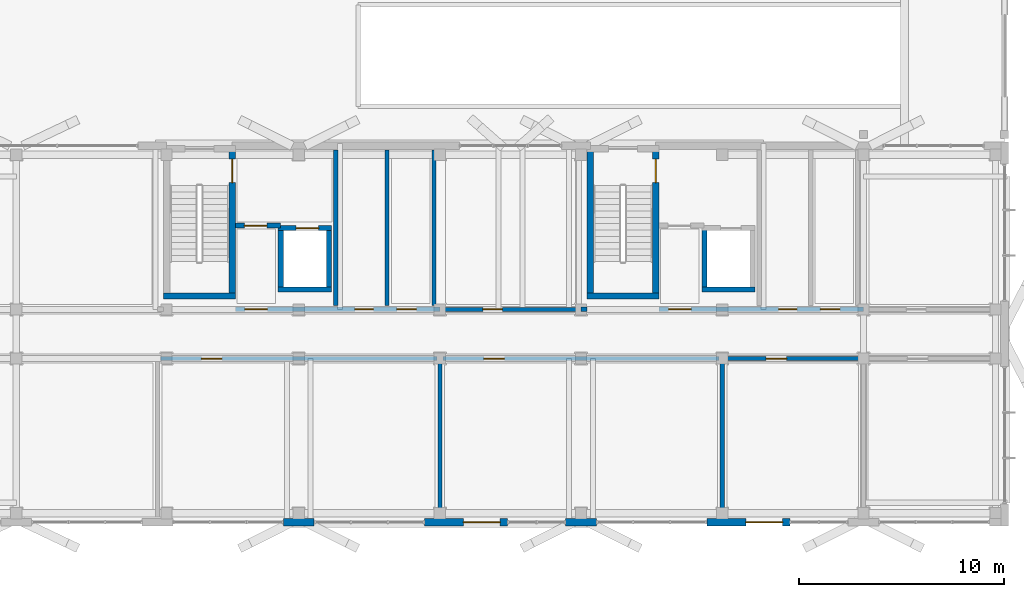
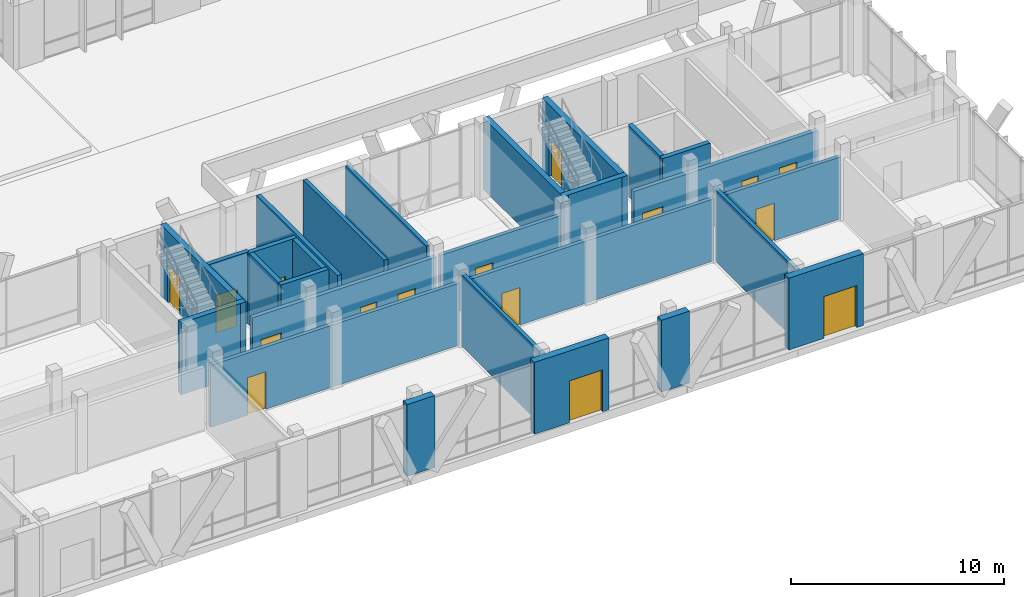
# One storey, part 201 of 233: 28 walls, 16 doors, 16 openings.
"""IFC4 building model written with IfcOpenShell, lengths in metres."""

from ifc_helpers import new_model, si_unit, direction, frame, frame_2d, origin, origin_with_axes, place, context, subcontext, project, spatial, rectangle, extrude, material, layer, layer_set, type_object, element, fill, save


model = new_model("IFC4")

# Units and contexts
model_context = context("Model", 3, precision=1e-05, world=origin(), true_north=direction((0.0, 1.0)))
body_context = subcontext(model_context, "Body", "Model", "MODEL_VIEW")
ifc_project = project(units=[si_unit("LENGTHUNIT", "METRE"), si_unit("AREAUNIT", "SQUARE_METRE"), si_unit("VOLUMEUNIT", "CUBIC_METRE"), si_unit("PLANEANGLEUNIT", "RADIAN"), si_unit("MASSUNIT", "GRAM", prefix="KILO")], contexts=[model_context])

# Site, building, storey
site_placement = place(None, origin())
site = spatial("IfcSite", under=ifc_project, at=site_placement, CompositionType="ELEMENT")
building_placement = place(site_placement, origin())
building = spatial("IfcBuilding", under=site, at=building_placement, Name="Zavelmont Quarter", CompositionType="ELEMENT")
storey_placement = place(building_placement, origin())
storey = spatial("IfcBuildingStorey", under=building, at=storey_placement, Name="L00", CompositionType="ELEMENT", Elevation=0.0)

# Wall
ifc_material_1 = material(Name="Natural Belgian limestone", Category="masonry")
ifc_layer_1 = layer(ifc_material_1, 0.3798828125)
ifc_layer_set_1 = layer_set([ifc_layer_1], Name="Natural Belgian limestone")
wall_type_1 = type_object("IfcWallType", Name="EW01", PredefinedType="STANDARD", material=ifc_layer_set_1)
wall_1_placement = place(storey_placement, frame((132.75, 0.0, 0.0), z_axis=(0.0, 0.0, 1.0), x_axis=(1.0, 0.0, 0.0)))
element("IfcWall", 1, at=wall_1_placement, inside=storey, type_object=wall_type_1, Name="L00 exterior limestone wall EW01", PredefinedType="STANDARD", context=body_context, shape_type="SweptSolid", body=[
    extrude(rectangle(XDim=1.5, YDim=0.3798828125, at=frame_2d((0.75, 0.0))), origin(), (0.0, 0.0, 1.0), 4.1201171875),
])

# Wall, opening, door
wall_2_placement = place(storey_placement, frame((139.64990234375, 0.0, 0.0), z_axis=(0.0, 0.0, 1.0), x_axis=(1.0, 0.0, 0.0)))
wall_2 = element("IfcWall", 2, at=wall_2_placement, inside=storey, type_object=wall_type_1, Name="L00 exterior limestone wall EW01", PredefinedType="STANDARD", context=body_context, shape_type="SweptSolid", body=[
    extrude(rectangle(XDim=4.050048828125, YDim=0.3798828125, at=frame_2d((2.02490234375, 0.0))), origin(), (0.0, 0.0, 1.0), 4.1201171875),
])
opening_1_placement = place(wall_2_placement, frame((1.89990234375, 0.0, 0.0)))
opening_1 = element("IfcOpeningElement", 3, at=opening_1_placement, cuts=wall_2, Name="Opening DR01", PredefinedType="OPENING", context=body_context, shape_type="SweptSolid", body=[
    extrude(rectangle(XDim=1.800048828125, YDim=2.39990234375, at=frame_2d((0.89990234375, 1.199951171875))), frame((0.0, 0.201904296875, 0.0), z_axis=(0.0, -1.0, 0.0), x_axis=(1.0, 0.0, 0.0)), (0.0, 0.0, 1.0), 0.40380859375),
])
ifc_material_2 = material(Name="Powder-coated aluminium and tempered double safety glass", Category="aluminium")
door_type_1 = type_object("IfcDoorType", Name="DR01", OperationType="DOUBLE_DOOR_SINGLE_SWING", PredefinedType="DOOR", material=ifc_material_2)
door_1_placement = place(opening_1_placement, frame((1.800048828125, 0.0, 0.0), z_axis=(0.0, 0.0, 1.0), x_axis=(-1.0, 0.0, 0.0)))
door_1 = element("IfcDoor", 4, at=door_1_placement, inside=storey, type_object=door_type_1, Name="Block D street entrance final exit door", OperationType="DOUBLE_DOOR_SINGLE_SWING", OverallHeight=2.39990234375, OverallWidth=1.800048828125, PredefinedType="DOOR", context=body_context, shape_type="SweptSolid", body=[
    extrude(rectangle(XDim=1.800048828125, YDim=2.39990234375, at=frame_2d((0.89990234375, 1.199951171875))), frame((0.0, 0.02490234375, 0.0), z_axis=(0.0, -1.0, 0.0), x_axis=(1.0, 0.0, 0.0)), (0.0, 0.0, 1.0), 0.050048828125),
])
fill(opening_1, door_1)

# Wall
wall_3_placement = place(storey_placement, frame((146.550048828125, 0.0, 0.0), z_axis=(0.0, 0.0, 1.0), x_axis=(1.0, 0.0, 0.0)))
element("IfcWall", 5, at=wall_3_placement, inside=storey, type_object=wall_type_1, Name="L00 exterior limestone wall EW01", PredefinedType="STANDARD", context=body_context, shape_type="SweptSolid", body=[
    extrude(rectangle(XDim=1.5, YDim=0.3798828125, at=frame_2d((0.75, 0.0))), origin(), (0.0, 0.0, 1.0), 4.1201171875),
])

# Wall, opening, door
wall_4_placement = place(storey_placement, frame((153.449951171875, 0.0, 0.0), z_axis=(0.0, 0.0, 1.0), x_axis=(1.0, 0.0, 0.0)))
wall_4 = element("IfcWall", 6, at=wall_4_placement, inside=storey, type_object=wall_type_1, Name="L00 exterior limestone wall EW01", PredefinedType="STANDARD", context=body_context, shape_type="SweptSolid", body=[
    extrude(rectangle(XDim=4.050048828125, YDim=0.3798828125, at=frame_2d((2.02490234375, 0.0))), origin(), (0.0, 0.0, 1.0), 4.1201171875),
])
opening_2_placement = place(wall_4_placement, frame((1.89990234375, 0.0, 0.0)))
opening_2 = element("IfcOpeningElement", 7, at=opening_2_placement, cuts=wall_4, Name="Opening DR01", PredefinedType="OPENING", context=body_context, shape_type="SweptSolid", body=[
    extrude(rectangle(XDim=1.800048828125, YDim=2.39990234375, at=frame_2d((0.89990234375, 1.199951171875))), frame((0.0, 0.201904296875, 0.0), z_axis=(0.0, -1.0, 0.0), x_axis=(1.0, 0.0, 0.0)), (0.0, 0.0, 1.0), 0.40380859375),
])
door_2_placement = place(opening_2_placement, frame((1.800048828125, 0.0, 0.0), z_axis=(0.0, 0.0, 1.0), x_axis=(-1.0, 0.0, 0.0)))
door_2 = element("IfcDoor", 8, at=door_2_placement, inside=storey, type_object=door_type_1, Name="Block D street entrance final exit door", OperationType="DOUBLE_DOOR_SINGLE_SWING", OverallHeight=2.39990234375, OverallWidth=1.800048828125, PredefinedType="DOOR", context=body_context, shape_type="SweptSolid", body=[
    extrude(rectangle(XDim=1.800048828125, YDim=2.39990234375, at=frame_2d((0.89990234375, 1.199951171875))), frame((0.0, 0.02490234375, 0.0), z_axis=(0.0, -1.0, 0.0), x_axis=(1.0, 0.0, 0.0)), (0.0, 0.0, 1.0), 0.050048828125),
])
fill(opening_2, door_2)

# Walls
ifc_material_3 = material(Name="Calcium-silicate blockwork and acoustic plaster", Category="masonry")
ifc_layer_2 = layer(ifc_material_3, 0.199951171875)
ifc_layer_set_2 = layer_set([ifc_layer_2], Name="Calcium-silicate blockwork and acoustic plaster")
wall_type_2 = type_object("IfcWallType", Name="IW01", PredefinedType="PARTITIONING", material=ifc_layer_set_2)
for number, where, z_axis, x_axis, name in (
    (9, (137.824951171875, 10.60009765625, 0.0), (0.0, 0.0, 1.0), (0.0, 1.0, 0.0), "L00 Service riser divider wall IW01"),
    (10, (140.1201171875, 10.60009765625, 0.0), (0.0, 0.0, 1.0), (0.0, 1.0, 0.0), "L00 Core service end wall IW01"),
):
    element("IfcWall", number, at=place(storey_placement, frame(where, z_axis=z_axis, x_axis=x_axis)), inside=storey, type_object=wall_type_2, Name=name, PredefinedType="PARTITIONING", context=body_context, shape_type="SweptSolid", body=[
        extrude(rectangle(XDim=7.599853515625, YDim=0.199951171875, at=frame_2d((3.7998046875, 0.0))), origin(), (0.0, 0.0, 1.0), 4.1201171875),
    ])

# Wall, opening, door
wall_5_placement = place(storey_placement, frame((126.75, 8.0, 0.0), z_axis=(0.0, 0.0, 1.0), x_axis=(1.0, 0.0, 0.0)))
wall_5 = element("IfcWall", 11, at=wall_5_placement, inside=storey, type_object=wall_type_2, Name="L00 Residents Community Room corridor wall IW01", PredefinedType="PARTITIONING", context=body_context, shape_type="SweptSolid", body=[
    extrude(rectangle(XDim=13.5, YDim=0.199951171875, at=frame_2d((6.75, 0.0))), origin(), (0.0, 0.0, 1.0), 3.56005859375),
])
opening_3_placement = place(wall_5_placement, frame((2.0, 0.0, 0.0)))
opening_3 = element("IfcOpeningElement", 12, at=opening_3_placement, cuts=wall_5, Name="Opening DR07", PredefinedType="OPENING", context=body_context, shape_type="SweptSolid", body=[
    extrude(rectangle(XDim=1.0, YDim=2.14990234375, at=frame_2d((0.5, 1.074951171875))), frame((0.0, 0.11181640625, 0.0), z_axis=(0.0, -1.0, 0.0), x_axis=(1.0, 0.0, 0.0)), (0.0, 0.0, 1.0), 0.223876953125),
])
ifc_material_4 = material(Name="Solid-core oak fire leaf in steel frame", Category="steel")
door_type_2 = type_object("IfcDoorType", Name="DR07", OperationType="NOTDEFINED", PredefinedType="DOOR", material=ifc_material_4)
door_3_placement = place(opening_3_placement, origin_with_axes())
door_3 = element("IfcDoor", 13, at=door_3_placement, inside=storey, type_object=door_type_2, Name="L00 door DR07", OperationType="SINGLE_SWING_RIGHT", OverallHeight=2.14990234375, OverallWidth=1.0, PredefinedType="DOOR", context=body_context, shape_type="SweptSolid", body=[
    extrude(rectangle(XDim=1.0, YDim=2.14990234375, at=frame_2d((0.5, 1.074951171875))), frame((0.0, 0.02490234375, 0.0), z_axis=(0.0, -1.0, 0.0), x_axis=(1.0, 0.0, 0.0)), (0.0, 0.0, 1.0), 0.050048828125),
])
fill(opening_3, door_3)

# Wall
wall_6_placement = place(storey_placement, frame((140.39990234375, 0.25, 0.0), z_axis=(0.0, 0.0, 1.0), x_axis=(0.0, 1.0, 0.0)))
element("IfcWall", 14, at=wall_6_placement, inside=storey, type_object=wall_type_2, Name="L00 Interior partition IW01", PredefinedType="PARTITIONING", context=body_context, shape_type="SweptSolid", body=[
    extrude(rectangle(XDim=7.60009765625, YDim=0.199951171875, at=frame_2d((3.800048828125, 0.0))), origin(), (0.0, 0.0, 1.0), 4.1201171875),
])

# Wall, opening, door
wall_7_placement = place(storey_placement, frame((140.550048828125, 8.0, 0.0), z_axis=(0.0, 0.0, 1.0), x_axis=(1.0, 0.0, 0.0)))
wall_7 = element("IfcWall", 15, at=wall_7_placement, inside=storey, type_object=wall_type_2, Name="L00 Pram and Cycle Room corridor wall IW01", PredefinedType="PARTITIONING", context=body_context, shape_type="SweptSolid", body=[
    extrude(rectangle(XDim=13.5, YDim=0.199951171875, at=frame_2d((6.75, 0.0))), origin(), (0.0, 0.0, 1.0), 3.56005859375),
])
opening_4_placement = place(wall_7_placement, frame((2.0, 0.0, 0.0)))
opening_4 = element("IfcOpeningElement", 16, at=opening_4_placement, cuts=wall_7, Name="Opening DR07", PredefinedType="OPENING", context=body_context, shape_type="SweptSolid", body=[
    extrude(rectangle(XDim=1.0, YDim=2.14990234375, at=frame_2d((0.5, 1.074951171875))), frame((0.0, 0.11181640625, 0.0), z_axis=(0.0, -1.0, 0.0), x_axis=(1.0, 0.0, 0.0)), (0.0, 0.0, 1.0), 0.223876953125),
])
door_4_placement = place(opening_4_placement, frame((1.0, 0.0, 0.0), z_axis=(0.0, 0.0, 1.0), x_axis=(-1.0, 0.0, 0.0)))
door_4 = element("IfcDoor", 17, at=door_4_placement, inside=storey, type_object=door_type_2, Name="L00 door DR07", OperationType="SINGLE_SWING_LEFT", OverallHeight=2.14990234375, OverallWidth=1.0, PredefinedType="DOOR", context=body_context, shape_type="SweptSolid", body=[
    extrude(rectangle(XDim=1.0, YDim=2.14990234375, at=frame_2d((0.5, 1.074951171875))), frame((0.0, 0.02490234375, 0.0), z_axis=(0.0, -1.0, 0.0), x_axis=(1.0, 0.0, 0.0)), (0.0, 0.0, 1.0), 0.050048828125),
])
fill(opening_4, door_4)

# Wall
wall_8_placement = place(storey_placement, frame((154.199951171875, 0.25, 0.0), z_axis=(0.0, 0.0, 1.0), x_axis=(0.0, 1.0, 0.0)))
element("IfcWall", 18, at=wall_8_placement, inside=storey, type_object=wall_type_2, Name="L00 Interior partition IW01", PredefinedType="PARTITIONING", context=body_context, shape_type="SweptSolid", body=[
    extrude(rectangle(XDim=7.60009765625, YDim=0.199951171875, at=frame_2d((3.800048828125, 0.0))), origin(), (0.0, 0.0, 1.0), 4.1201171875),
])

# Wall, opening, door
wall_9_placement = place(storey_placement, frame((154.35009765625, 8.0, 0.0), z_axis=(0.0, 0.0, 1.0), x_axis=(1.0, 0.0, 0.0)))
wall_9 = element("IfcWall", 19, at=wall_9_placement, inside=storey, type_object=wall_type_2, Name="L00 Refuse and Recycling Room corridor wall IW01", PredefinedType="PARTITIONING", context=body_context, shape_type="SweptSolid", body=[
    extrude(rectangle(XDim=6.599853515625, YDim=0.199951171875, at=frame_2d((3.2998046875, 0.0))), origin(), (0.0, 0.0, 1.0), 3.56005859375),
])
opening_5_placement = place(wall_9_placement, frame((2.0, 0.0, 0.0)))
opening_5 = element("IfcOpeningElement", 20, at=opening_5_placement, cuts=wall_9, Name="Opening DR07", PredefinedType="OPENING", context=body_context, shape_type="SweptSolid", body=[
    extrude(rectangle(XDim=1.0, YDim=2.14990234375, at=frame_2d((0.5, 1.074951171875))), frame((0.0, 0.11181640625, 0.0), z_axis=(0.0, -1.0, 0.0), x_axis=(1.0, 0.0, 0.0)), (0.0, 0.0, 1.0), 0.223876953125),
])
door_5_placement = place(opening_5_placement, origin_with_axes())
door_5 = element("IfcDoor", 21, at=door_5_placement, inside=storey, type_object=door_type_2, Name="L00 door DR07", OperationType="SINGLE_SWING_RIGHT", OverallHeight=2.14990234375, OverallWidth=1.0, PredefinedType="DOOR", context=body_context, shape_type="SweptSolid", body=[
    extrude(rectangle(XDim=1.0, YDim=2.14990234375, at=frame_2d((0.5, 1.074951171875))), frame((0.0, 0.02490234375, 0.0), z_axis=(0.0, -1.0, 0.0), x_axis=(1.0, 0.0, 0.0)), (0.0, 0.0, 1.0), 0.050048828125),
])
fill(opening_5, door_5)

wall_10_placement = place(storey_placement, frame((140.60009765625, 10.39990234375, 0.0), z_axis=(0.0, 0.0, 1.0), x_axis=(1.0, 0.0, 0.0)))
wall_10 = element("IfcWall", 22, at=wall_10_placement, inside=storey, type_object=wall_type_2, Name="L00 Interior partition IW01", PredefinedType="PARTITIONING", context=body_context, shape_type="SweptSolid", body=[
    extrude(rectangle(XDim=6.5, YDim=0.199951171875, at=frame_2d((3.25, 0.0))), origin(), (0.0, 0.0, 1.0), 3.56005859375),
])
opening_6_placement = place(wall_10_placement, frame((1.89990234375, 0.0, 0.0)))
opening_6 = element("IfcOpeningElement", 23, at=opening_6_placement, cuts=wall_10, Name="Opening DR02", PredefinedType="OPENING", context=body_context, shape_type="SweptSolid", body=[
    extrude(rectangle(XDim=0.949951171875, YDim=2.14990234375, at=frame_2d((0.47509765625, 1.074951171875))), frame((0.0, 0.11181640625, 0.0), z_axis=(0.0, -1.0, 0.0), x_axis=(1.0, 0.0, 0.0)), (0.0, 0.0, 1.0), 0.223876953125),
])
door_type_3 = type_object("IfcDoorType", Name="DR02", OperationType="NOTDEFINED", PredefinedType="DOOR", material=ifc_material_4)
door_6_placement = place(opening_6_placement, frame((0.949951171875, 0.0, 0.0), z_axis=(0.0, 0.0, 1.0), x_axis=(-1.0, 0.0, 0.0)))
door_6 = element("IfcDoor", 24, at=door_6_placement, inside=storey, type_object=door_type_3, Name="L00 door DR02", OperationType="SINGLE_SWING_LEFT", OverallHeight=2.14990234375, OverallWidth=0.949951171875, PredefinedType="DOOR", context=body_context, shape_type="SweptSolid", body=[
    extrude(rectangle(XDim=0.949951171875, YDim=2.14990234375, at=frame_2d((0.47509765625, 1.074951171875))), frame((0.0, 0.02490234375, 0.0), z_axis=(0.0, -1.0, 0.0), x_axis=(1.0, 0.0, 0.0)), (0.0, 0.0, 1.0), 0.050048828125),
])
fill(opening_6, door_6)

# Wall
ifc_material_5 = material(Name="Reinforced masonry fire compartment wall", Category="masonry")
ifc_layer_3 = layer(ifc_material_5, 0.22509765625)
ifc_layer_set_3 = layer_set([ifc_layer_3], Name="Reinforced masonry fire compartment wall")
wall_type_3 = type_object("IfcWallType", Name="IW02", PredefinedType="PARTITIONING", material=ifc_layer_set_3)
wall_11_placement = place(storey_placement, frame((135.31005859375, 10.60009765625, 0.0), z_axis=(0.0, 0.0, 1.0), x_axis=(0.0, 1.0, 0.0)))
element("IfcWall", 25, at=wall_11_placement, inside=storey, type_object=wall_type_3, Name="L00 Firefighting lobby enclosure wall IW02", PredefinedType="PARTITIONING", context=body_context, shape_type="SweptSolid", body=[
    extrude(rectangle(XDim=7.599853515625, YDim=0.22509765625, at=frame_2d((3.7998046875, 0.0))), origin(), (0.0, 0.0, 1.0), 4.1201171875),
])

# Wall, opening, door
wall_12_placement = place(storey_placement, frame((130.39990234375, 14.5, 0.0), z_axis=(0.0, 0.0, 1.0), x_axis=(1.0, 0.0, 0.0)))
wall_12 = element("IfcWall", 26, at=wall_12_placement, inside=storey, type_object=wall_type_3, Name="L00 Firefighting lobby threshold wall IW02", PredefinedType="PARTITIONING", context=body_context, shape_type="SweptSolid", body=[
    extrude(rectangle(XDim=2.2001953125, YDim=0.22509765625, at=frame_2d((1.10009765625, 0.0))), origin(), (0.0, 0.0, 1.0), 4.1201171875),
])
opening_7_placement = place(wall_12_placement, frame((0.449951171875, 0.0, 0.0)))
opening_7 = element("IfcOpeningElement", 27, at=opening_7_placement, cuts=wall_12, Name="Opening DR10", PredefinedType="OPENING", context=body_context, shape_type="SweptSolid", body=[
    extrude(rectangle(XDim=1.10009765625, YDim=2.14990234375, at=frame_2d((0.550048828125, 1.074951171875))), frame((0.0, 0.12451171875, 0.0), z_axis=(0.0, -1.0, 0.0), x_axis=(1.0, 0.0, 0.0)), (0.0, 0.0, 1.0), 0.2490234375),
])
ifc_material_6 = material(Name="Painted steel lobby fire door", Category="steel")
door_type_4 = type_object("IfcDoorType", Name="DR10", OperationType="NOTDEFINED", PredefinedType="DOOR", material=ifc_material_6)
door_7_placement = place(opening_7_placement, origin_with_axes())
door_7 = element("IfcDoor", 28, at=door_7_placement, inside=storey, type_object=door_type_4, Name="Firefighting lobby fire door", OperationType="SINGLE_SWING_RIGHT", OverallHeight=2.14990234375, OverallWidth=1.10009765625, PredefinedType="DOOR", context=body_context, shape_type="SweptSolid", body=[
    extrude(rectangle(XDim=1.10009765625, YDim=2.14990234375, at=frame_2d((0.550048828125, 1.074951171875))), frame((0.0, 0.02490234375, 0.0), z_axis=(0.0, -1.0, 0.0), x_axis=(1.0, 0.0, 0.0)), (0.0, 0.0, 1.0), 0.050048828125),
])
fill(opening_7, door_7)

# Wall, openings, doors
wall_13_placement = place(storey_placement, frame((130.39990234375, 10.39990234375, 0.0), z_axis=(0.0, 0.0, 1.0), x_axis=(1.0, 0.0, 0.0)))
wall_13 = element("IfcWall", 29, at=wall_13_placement, inside=storey, type_object=wall_type_3, Name="L00 Core corridor fire wall IW02", PredefinedType="PARTITIONING", context=body_context, shape_type="SweptSolid", body=[
    extrude(rectangle(XDim=10.0, YDim=0.22509765625, at=frame_2d((5.0, 0.0))), origin(), (0.0, 0.0, 1.0), 3.56005859375),
])
opening_8_placement = place(wall_13_placement, frame((0.47509765625, 0.0, 0.0)))
opening_8 = element("IfcOpeningElement", 30, at=opening_8_placement, cuts=wall_13, Name="Opening DR10", PredefinedType="OPENING", context=body_context, shape_type="SweptSolid", body=[
    extrude(rectangle(XDim=1.10009765625, YDim=2.14990234375, at=frame_2d((0.550048828125, 1.074951171875))), frame((0.0, 0.12451171875, 0.0), z_axis=(0.0, -1.0, 0.0), x_axis=(1.0, 0.0, 0.0)), (0.0, 0.0, 1.0), 0.2490234375),
])
opening_9_placement = place(wall_13_placement, frame((5.85009765625, 0.0, 0.0)))
opening_9 = element("IfcOpeningElement", 31, at=opening_9_placement, cuts=wall_13, Name="Opening DR11", PredefinedType="OPENING", context=body_context, shape_type="SweptSolid", body=[
    extrude(rectangle(XDim=0.89990234375, YDim=2.10009765625, at=frame_2d((0.449951171875, 1.050048828125))), frame((0.0, 0.12451171875, 0.0), z_axis=(0.0, -1.0, 0.0), x_axis=(1.0, 0.0, 0.0)), (0.0, 0.0, 1.0), 0.2490234375),
])
opening_10_placement = place(wall_13_placement, frame((7.89990234375, 0.0, 0.0)))
opening_10 = element("IfcOpeningElement", 32, at=opening_10_placement, cuts=wall_13, Name="Opening DR02", PredefinedType="OPENING", context=body_context, shape_type="SweptSolid", body=[
    extrude(rectangle(XDim=0.949951171875, YDim=2.14990234375, at=frame_2d((0.47509765625, 1.074951171875))), frame((0.0, 0.12451171875, 0.0), z_axis=(0.0, -1.0, 0.0), x_axis=(1.0, 0.0, 0.0)), (0.0, 0.0, 1.0), 0.2490234375),
])
door_8_placement = place(opening_10_placement, frame((0.949951171875, 0.0, 0.0), z_axis=(0.0, 0.0, 1.0), x_axis=(-1.0, 0.0, 0.0)))
door_8 = element("IfcDoor", 33, at=door_8_placement, inside=storey, type_object=door_type_3, Name="Auxiliary store corridor door", OperationType="SINGLE_SWING_RIGHT", OverallHeight=2.14990234375, OverallWidth=0.949951171875, PredefinedType="DOOR", context=body_context, shape_type="SweptSolid", body=[
    extrude(rectangle(XDim=0.949951171875, YDim=2.14990234375, at=frame_2d((0.47509765625, 1.074951171875))), frame((0.0, 0.02490234375, 0.0), z_axis=(0.0, -1.0, 0.0), x_axis=(1.0, 0.0, 0.0)), (0.0, 0.0, 1.0), 0.050048828125),
])
fill(opening_10, door_8)
door_9_placement = place(opening_8_placement, origin_with_axes())
door_9 = element("IfcDoor", 34, at=door_9_placement, inside=storey, type_object=door_type_4, Name="Core vestibule fire door", OperationType="SINGLE_SWING_LEFT", OverallHeight=2.14990234375, OverallWidth=1.10009765625, PredefinedType="DOOR", context=body_context, shape_type="SweptSolid", body=[
    extrude(rectangle(XDim=1.10009765625, YDim=2.14990234375, at=frame_2d((0.550048828125, 1.074951171875))), frame((0.0, 0.02490234375, 0.0), z_axis=(0.0, -1.0, 0.0), x_axis=(1.0, 0.0, 0.0)), (0.0, 0.0, 1.0), 0.050048828125),
])
fill(opening_8, door_9)
ifc_material_7 = material(Name="Painted steel service-riser fire door", Category="steel")
door_type_5 = type_object("IfcDoorType", Name="DR11", OperationType="NOTDEFINED", PredefinedType="DOOR", material=ifc_material_7)
door_10_placement = place(opening_9_placement, frame((0.89990234375, 0.0, 0.0), z_axis=(0.0, 0.0, 1.0), x_axis=(-1.0, 0.0, 0.0)))
door_10 = element("IfcDoor", 35, at=door_10_placement, inside=storey, type_object=door_type_5, Name="Service riser fire door", OperationType="SINGLE_SWING_LEFT", OverallHeight=2.10009765625, OverallWidth=0.89990234375, PredefinedType="DOOR", context=body_context, shape_type="SweptSolid", body=[
    extrude(rectangle(XDim=0.89990234375, YDim=2.10009765625, at=frame_2d((0.449951171875, 1.050048828125))), frame((0.0, 0.02490234375, 0.0), z_axis=(0.0, -1.0, 0.0), x_axis=(1.0, 0.0, 0.0)), (0.0, 0.0, 1.0), 0.050048828125),
])
fill(opening_9, door_10)

# Wall
wall_14_placement = place(storey_placement, frame((147.300048828125, 10.39990234375, 0.0), z_axis=(0.0, 0.0, 1.0), x_axis=(1.0, 0.0, 0.0)))
element("IfcWall", 36, at=wall_14_placement, inside=storey, type_object=wall_type_3, Name="L00 Core corridor wall IW02", PredefinedType="PARTITIONING", context=body_context, shape_type="SweptSolid", body=[
    extrude(rectangle(XDim=0.300048828125, YDim=0.22509765625, at=frame_2d((0.14990234375, 0.0))), origin(), (0.0, 0.0, 1.0), 4.1201171875),
])

# Wall, openings, doors
wall_15_placement = place(storey_placement, frame((151.10009765625, 10.39990234375, 0.0), z_axis=(0.0, 0.0, 1.0), x_axis=(1.0, 0.0, 0.0)))
wall_15 = element("IfcWall", 37, at=wall_15_placement, inside=storey, type_object=wall_type_3, Name="L00 Core corridor fire wall IW02", PredefinedType="PARTITIONING", context=body_context, shape_type="SweptSolid", body=[
    extrude(rectangle(XDim=10.0, YDim=0.22509765625, at=frame_2d((5.0, 0.0))), origin(), (0.0, 0.0, 1.0), 3.56005859375),
])
opening_11_placement = place(wall_15_placement, frame((0.47509765625, 0.0, 0.0)))
opening_11 = element("IfcOpeningElement", 38, at=opening_11_placement, cuts=wall_15, Name="Opening DR10", PredefinedType="OPENING", context=body_context, shape_type="SweptSolid", body=[
    extrude(rectangle(XDim=1.10009765625, YDim=2.14990234375, at=frame_2d((0.550048828125, 1.074951171875))), frame((0.0, 0.12451171875, 0.0), z_axis=(0.0, -1.0, 0.0), x_axis=(1.0, 0.0, 0.0)), (0.0, 0.0, 1.0), 0.2490234375),
])
opening_12_placement = place(wall_15_placement, frame((5.85009765625, 0.0, 0.0)))
opening_12 = element("IfcOpeningElement", 39, at=opening_12_placement, cuts=wall_15, Name="Opening DR11", PredefinedType="OPENING", context=body_context, shape_type="SweptSolid", body=[
    extrude(rectangle(XDim=0.89990234375, YDim=2.10009765625, at=frame_2d((0.449951171875, 1.050048828125))), frame((0.0, 0.12451171875, 0.0), z_axis=(0.0, -1.0, 0.0), x_axis=(1.0, 0.0, 0.0)), (0.0, 0.0, 1.0), 0.2490234375),
])
opening_13_placement = place(wall_15_placement, frame((7.89990234375, 0.0, 0.0)))
opening_13 = element("IfcOpeningElement", 40, at=opening_13_placement, cuts=wall_15, Name="Opening DR02", PredefinedType="OPENING", context=body_context, shape_type="SweptSolid", body=[
    extrude(rectangle(XDim=0.949951171875, YDim=2.14990234375, at=frame_2d((0.47509765625, 1.074951171875))), frame((0.0, 0.12451171875, 0.0), z_axis=(0.0, -1.0, 0.0), x_axis=(1.0, 0.0, 0.0)), (0.0, 0.0, 1.0), 0.2490234375),
])
door_11_placement = place(opening_13_placement, frame((0.949951171875, 0.0, 0.0), z_axis=(0.0, 0.0, 1.0), x_axis=(-1.0, 0.0, 0.0)))
door_11 = element("IfcDoor", 41, at=door_11_placement, inside=storey, type_object=door_type_3, Name="Auxiliary store corridor door", OperationType="SINGLE_SWING_RIGHT", OverallHeight=2.14990234375, OverallWidth=0.949951171875, PredefinedType="DOOR", context=body_context, shape_type="SweptSolid", body=[
    extrude(rectangle(XDim=0.949951171875, YDim=2.14990234375, at=frame_2d((0.47509765625, 1.074951171875))), frame((0.0, 0.02490234375, 0.0), z_axis=(0.0, -1.0, 0.0), x_axis=(1.0, 0.0, 0.0)), (0.0, 0.0, 1.0), 0.050048828125),
])
fill(opening_13, door_11)
door_12_placement = place(opening_11_placement, origin_with_axes())
door_12 = element("IfcDoor", 42, at=door_12_placement, inside=storey, type_object=door_type_4, Name="Core vestibule fire door", OperationType="SINGLE_SWING_RIGHT", OverallHeight=2.14990234375, OverallWidth=1.10009765625, PredefinedType="DOOR", context=body_context, shape_type="SweptSolid", body=[
    extrude(rectangle(XDim=1.10009765625, YDim=2.14990234375, at=frame_2d((0.550048828125, 1.074951171875))), frame((0.0, 0.02490234375, 0.0), z_axis=(0.0, -1.0, 0.0), x_axis=(1.0, 0.0, 0.0)), (0.0, 0.0, 1.0), 0.050048828125),
])
fill(opening_11, door_12)
door_13_placement = place(opening_12_placement, frame((0.89990234375, 0.0, 0.0), z_axis=(0.0, 0.0, 1.0), x_axis=(-1.0, 0.0, 0.0)))
door_13 = element("IfcDoor", 43, at=door_13_placement, inside=storey, type_object=door_type_5, Name="Service riser fire door", OperationType="SINGLE_SWING_LEFT", OverallHeight=2.10009765625, OverallWidth=0.89990234375, PredefinedType="DOOR", context=body_context, shape_type="SweptSolid", body=[
    extrude(rectangle(XDim=0.89990234375, YDim=2.10009765625, at=frame_2d((0.449951171875, 1.050048828125))), frame((0.0, 0.02490234375, 0.0), z_axis=(0.0, -1.0, 0.0), x_axis=(1.0, 0.0, 0.0)), (0.0, 0.0, 1.0), 0.050048828125),
])
fill(opening_12, door_13)

# Wall
ifc_material_8 = material(Name="Concrete C40/50", Category="concrete")
ifc_layer_4 = layer(ifc_material_8, 0.300048828125)
ifc_layer_set_4 = layer_set([ifc_layer_4], Name="Concrete C40/50")
wall_type_4 = type_object("IfcWallType", Name="SW01", PredefinedType="SHEAR", material=ifc_layer_set_4)
wall_16_placement = place(storey_placement, frame((126.89990234375, 11.050048828125, 0.0), z_axis=(0.0, 0.0, 1.0), x_axis=(1.0, 0.0, 0.0)))
element("IfcWall", 44, at=wall_16_placement, inside=storey, type_object=wall_type_4, Name="L00 ST07 corridor shear wall SW01", PredefinedType="SHEAR", context=body_context, shape_type="SweptSolid", body=[
    extrude(rectangle(XDim=3.5, YDim=0.300048828125, at=frame_2d((1.75, 0.0))), origin(), (0.0, 0.0, 1.0), 4.1201171875),
])

# Wall, opening, door
wall_17_placement = place(storey_placement, frame((130.25, 10.89990234375, 0.0), z_axis=(0.0, 0.0, 1.0), x_axis=(0.0, 1.0, 0.0)))
wall_17 = element("IfcWall", 45, at=wall_17_placement, inside=storey, type_object=wall_type_4, Name="L00 ST07 lobby shear wall SW01", PredefinedType="SHEAR", context=body_context, shape_type="SweptSolid", body=[
    extrude(rectangle(XDim=7.5, YDim=0.300048828125, at=frame_2d((3.75, 0.0))), origin(), (0.0, 0.0, 1.0), 4.1201171875),
])
opening_14_placement = place(wall_17_placement, frame((5.699951171875, 0.0, 0.0)))
opening_14 = element("IfcOpeningElement", 46, at=opening_14_placement, cuts=wall_17, Name="Opening DR09", PredefinedType="OPENING", context=body_context, shape_type="SweptSolid", body=[
    extrude(rectangle(XDim=1.14990234375, YDim=2.14990234375, at=frame_2d((0.574951171875, 1.074951171875))), frame((0.0, 0.162109375, 0.0), z_axis=(0.0, -1.0, 0.0), x_axis=(1.0, 0.0, 0.0)), (0.0, 0.0, 1.0), 0.323974609375),
])
ifc_material_9 = material(Name="Painted steel stair-core fire door", Category="steel")
door_type_6 = type_object("IfcDoorType", Name="DR09", OperationType="NOTDEFINED", PredefinedType="DOOR", material=ifc_material_9)
door_14_placement = place(opening_14_placement, origin_with_axes())
door_14 = element("IfcDoor", 47, at=door_14_placement, inside=storey, type_object=door_type_6, Name="ST07 protected stair door", OperationType="SINGLE_SWING_LEFT", OverallHeight=2.14990234375, OverallWidth=1.14990234375, PredefinedType="DOOR", context=body_context, shape_type="SweptSolid", body=[
    extrude(rectangle(XDim=1.14990234375, YDim=2.14990234375, at=frame_2d((0.574951171875, 1.074951171875))), frame((0.0, 0.02490234375, 0.0), z_axis=(0.0, -1.0, 0.0), x_axis=(1.0, 0.0, 0.0)), (0.0, 0.0, 1.0), 0.050048828125),
])
fill(opening_14, door_14)

# Walls
wall_18_placement = place(storey_placement, frame((147.60009765625, 11.050048828125, 0.0), z_axis=(0.0, 0.0, 1.0), x_axis=(1.0, 0.0, 0.0)))
element("IfcWall", 48, at=wall_18_placement, inside=storey, type_object=wall_type_4, Name="L00 ST08 corridor shear wall SW01", PredefinedType="SHEAR", context=body_context, shape_type="SweptSolid", body=[
    extrude(rectangle(XDim=3.5, YDim=0.300048828125, at=frame_2d((1.75, 0.0))), origin(), (0.0, 0.0, 1.0), 4.1201171875),
])
wall_19_placement = place(storey_placement, frame((147.75, 10.89990234375, 0.0), z_axis=(0.0, 0.0, 1.0), x_axis=(0.0, 1.0, 0.0)))
element("IfcWall", 49, at=wall_19_placement, inside=storey, type_object=wall_type_4, Name="L00 ST08 west shear wall SW01", PredefinedType="SHEAR", context=body_context, shape_type="SweptSolid", body=[
    extrude(rectangle(XDim=7.5, YDim=0.300048828125, at=frame_2d((3.75, 0.0))), origin(), (0.0, 0.0, 1.0), 4.1201171875),
])

# Wall, opening, door
wall_20_placement = place(storey_placement, frame((150.949951171875, 10.89990234375, 0.0), z_axis=(0.0, 0.0, 1.0), x_axis=(0.0, 1.0, 0.0)))
wall_20 = element("IfcWall", 50, at=wall_20_placement, inside=storey, type_object=wall_type_4, Name="L00 ST08 lobby shear wall SW01", PredefinedType="SHEAR", context=body_context, shape_type="SweptSolid", body=[
    extrude(rectangle(XDim=7.5, YDim=0.300048828125, at=frame_2d((3.75, 0.0))), origin(), (0.0, 0.0, 1.0), 4.1201171875),
])
opening_15_placement = place(wall_20_placement, frame((5.699951171875, 0.0, 0.0)))
opening_15 = element("IfcOpeningElement", 51, at=opening_15_placement, cuts=wall_20, Name="Opening DR09", PredefinedType="OPENING", context=body_context, shape_type="SweptSolid", body=[
    extrude(rectangle(XDim=1.14990234375, YDim=2.14990234375, at=frame_2d((0.574951171875, 1.074951171875))), frame((0.0, 0.162109375, 0.0), z_axis=(0.0, -1.0, 0.0), x_axis=(1.0, 0.0, 0.0)), (0.0, 0.0, 1.0), 0.323974609375),
])
door_15_placement = place(opening_15_placement, origin_with_axes())
door_15 = element("IfcDoor", 52, at=door_15_placement, inside=storey, type_object=door_type_6, Name="ST08 protected stair door", OperationType="SINGLE_SWING_LEFT", OverallHeight=2.14990234375, OverallWidth=1.14990234375, PredefinedType="DOOR", context=body_context, shape_type="SweptSolid", body=[
    extrude(rectangle(XDim=1.14990234375, YDim=2.14990234375, at=frame_2d((0.574951171875, 1.074951171875))), frame((0.0, 0.02490234375, 0.0), z_axis=(0.0, -1.0, 0.0), x_axis=(1.0, 0.0, 0.0)), (0.0, 0.0, 1.0), 0.050048828125),
])
fill(opening_15, door_15)

ifc_layer_5 = layer(ifc_material_8, 0.25)
ifc_layer_set_5 = layer_set([ifc_layer_5], Name="Concrete C40/50")
wall_type_5 = type_object("IfcWallType", Name="SW02", PredefinedType="SHEAR", material=ifc_layer_set_5)
wall_21_placement = place(storey_placement, frame((132.5, 14.375, 0.0), z_axis=(0.0, 0.0, 1.0), x_axis=(1.0, 0.0, 0.0)))
wall_21 = element("IfcWall", 53, at=wall_21_placement, inside=storey, type_object=wall_type_5, Name="L00 Lift FL04 landing shaft wall SW02", PredefinedType="SHEAR", context=body_context, shape_type="SweptSolid", body=[
    extrude(rectangle(XDim=2.60009765625, YDim=0.25, at=frame_2d((1.300048828125, 0.0))), origin(), (0.0, 0.0, 1.0), 4.1201171875),
])
opening_16_placement = place(wall_21_placement, frame((0.875, 0.0, 0.0)))
opening_16 = element("IfcOpeningElement", 54, at=opening_16_placement, cuts=wall_21, Name="Opening LD02", PredefinedType="OPENING", context=body_context, shape_type="SweptSolid", body=[
    extrude(rectangle(XDim=1.10009765625, YDim=2.10009765625, at=frame_2d((0.550048828125, 1.050048828125))), frame((0.0, 0.136962890625, 0.0), z_axis=(0.0, -1.0, 0.0), x_axis=(1.0, 0.0, 0.0)), (0.0, 0.0, 1.0), 0.27392578125),
])
ifc_material_10 = material(Name="Brushed stainless-steel firefighting lift landing door", Category="steel")
door_type_7 = type_object("IfcDoorType", Name="LD02", OperationType="SLIDING_TO_LEFT", PredefinedType="DOOR", material=ifc_material_10)
door_16_placement = place(opening_16_placement, origin_with_axes())
door_16 = element("IfcDoor", 55, at=door_16_placement, inside=storey, type_object=door_type_7, Name="Lift FL04 sliding landing door", OperationType="SLIDING_TO_LEFT", OverallHeight=2.10009765625, OverallWidth=1.10009765625, PredefinedType="DOOR", context=body_context, shape_type="SweptSolid", body=[
    extrude(rectangle(XDim=1.10009765625, YDim=2.10009765625, at=frame_2d((0.550048828125, 1.050048828125))), frame((0.0, 0.02490234375, 0.0), z_axis=(0.0, -1.0, 0.0), x_axis=(1.0, 0.0, 0.0)), (0.0, 0.0, 1.0), 0.050048828125),
])
fill(opening_16, door_16)

# Walls
wall_22_placement = place(storey_placement, frame((132.5, 11.375, 0.0), z_axis=(0.0, 0.0, 1.0), x_axis=(1.0, 0.0, 0.0)))
element("IfcWall", 56, at=wall_22_placement, inside=storey, type_object=wall_type_5, Name="L00 Lift FL04 back shaft wall SW02", PredefinedType="SHEAR", context=body_context, shape_type="SweptSolid", body=[
    extrude(rectangle(XDim=2.60009765625, YDim=0.25, at=frame_2d((1.300048828125, 0.0))), origin(), (0.0, 0.0, 1.0), 4.1201171875),
])
for number, where, z_axis, x_axis, name in (
    (57, (132.625, 11.25, 0.0), (0.0, 0.0, 1.0), (0.0, 1.0, 0.0), "L00 Lift FL04 west shaft wall SW02"),
    (58, (134.97509765625, 11.25, 0.0), (0.0, 0.0, 1.0), (0.0, 1.0, 0.0), "L00 Lift FL04 east shaft wall SW02"),
):
    element("IfcWall", number, at=place(storey_placement, frame(where, z_axis=z_axis, x_axis=x_axis)), inside=storey, type_object=wall_type_5, Name=name, PredefinedType="SHEAR", context=body_context, shape_type="SweptSolid", body=[
        extrude(rectangle(XDim=3.25, YDim=0.25, at=frame_2d((1.625, 0.0))), origin(), (0.0, 0.0, 1.0), 4.1201171875),
    ])
wall_23_placement = place(storey_placement, frame((153.199951171875, 11.375, 0.0), z_axis=(0.0, 0.0, 1.0), x_axis=(1.0, 0.0, 0.0)))
element("IfcWall", 59, at=wall_23_placement, inside=storey, type_object=wall_type_5, Name="L00 Lift LF08 back shaft wall SW02", PredefinedType="SHEAR", context=body_context, shape_type="SweptSolid", body=[
    extrude(rectangle(XDim=2.60009765625, YDim=0.25, at=frame_2d((1.300048828125, 0.0))), origin(), (0.0, 0.0, 1.0), 4.1201171875),
])
wall_24_placement = place(storey_placement, frame((153.324951171875, 11.25, 0.0), z_axis=(0.0, 0.0, 1.0), x_axis=(0.0, 1.0, 0.0)))
element("IfcWall", 60, at=wall_24_placement, inside=storey, type_object=wall_type_5, Name="L00 Lift LF08 west shaft wall SW02", PredefinedType="SHEAR", context=body_context, shape_type="SweptSolid", body=[
    extrude(rectangle(XDim=3.25, YDim=0.25, at=frame_2d((1.625, 0.0))), origin(), (0.0, 0.0, 1.0), 4.1201171875),
])

save(model, "model.ifc")
